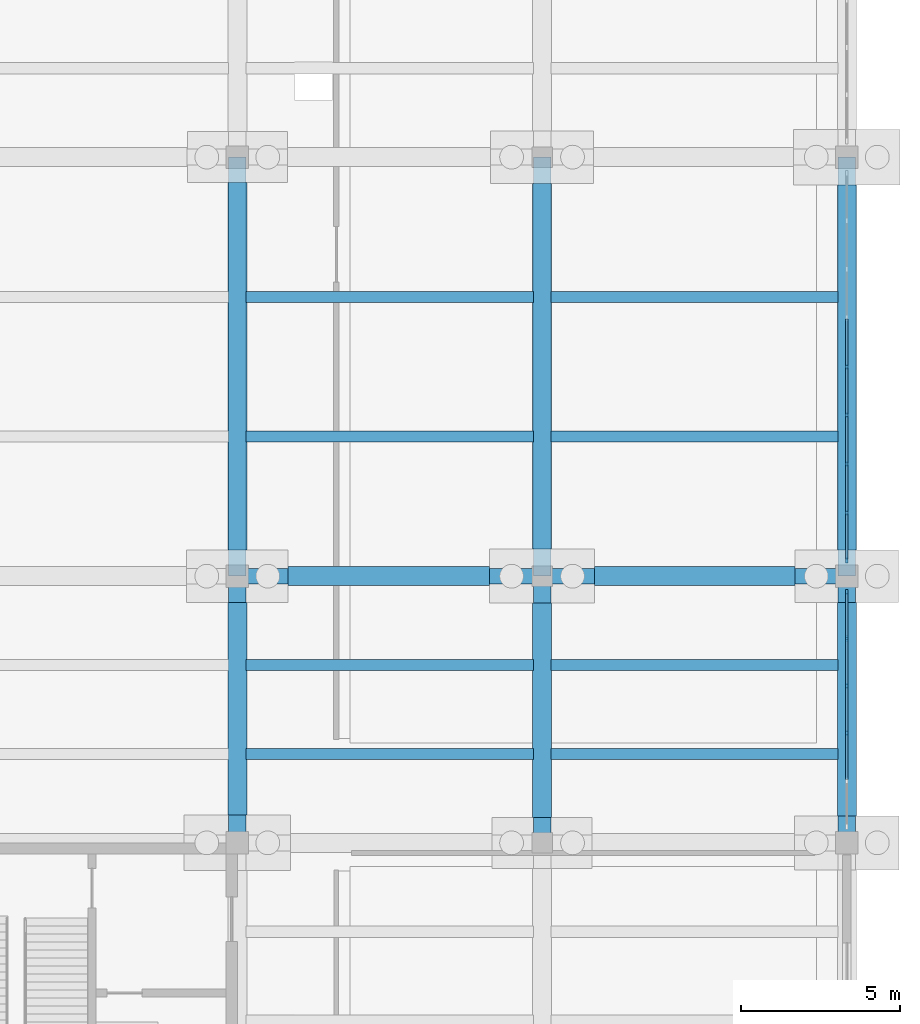
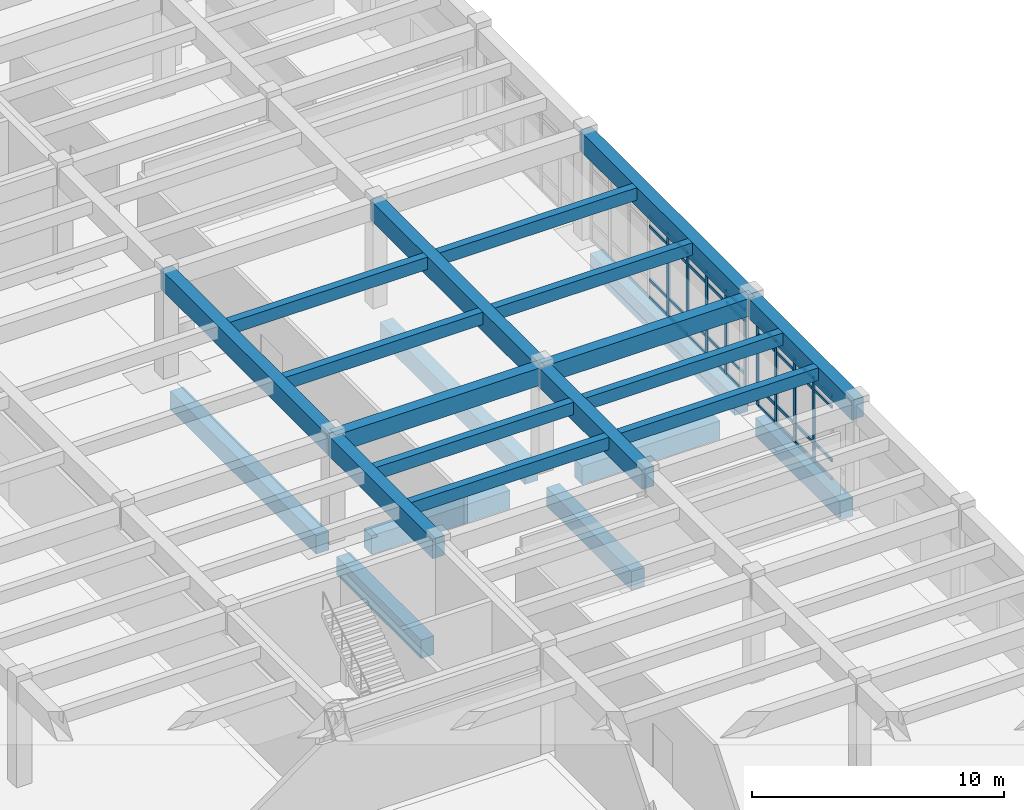
# One storey, part 47 of 102: 45 members, 24 beams, 2 elements without a shape of their own.
"""IFC4 building model written with IfcOpenShell, lengths in metres."""

import ifcopenshell
import ifcopenshell.guid

model = None  # the IFC model being written
_history = None  # IfcOwnerHistory: only IFC2X3 demands one
_inside = {}  # id of a spatial element -> (the spatial element, [elements in it])
_under = {}  # id of a project, library or spatial element -> (it, [spatial elements below it])
_declared = {}  # id of a project -> (the project, [libraries it declares])
_typed = {}  # id of a type object -> (the type object, [elements of that type])
_made_of = {}  # id of a material, layer set ... -> (it, [elements and type objects made of it])


def new_model(schema):
    """Start an empty IFC model of exactly this schema.

    Asked for "IFC4X3", IfcOpenShell would pick the latest addendum, in which some entities
    have other attributes; the version numbers below select the first issue.
    IFC2X3 requires an IfcOwnerHistory on every rooted entity: one is made here for all.
    """
    global model, _history
    if schema == "IFC4X3":
        model = ifcopenshell.file(schema_version=(4, 3, 0, 0))
    else:
        model = ifcopenshell.file(schema=schema)
    _inside.clear()
    _under.clear()
    _declared.clear()
    _typed.clear()
    _made_of.clear()
    _history = None
    if model.schema == "IFC2X3":
        org = make("IfcOrganization", Name="unknown")
        user = make(
            "IfcPersonAndOrganization",
            ThePerson=make("IfcPerson", FamilyName="unknown"),
            TheOrganization=org,
        )
        app = make(
            "IfcApplication",
            ApplicationDeveloper=org,
            Version="unknown",
            ApplicationFullName="unknown",
            ApplicationIdentifier="unknown",
        )
        _history = make(
            "IfcOwnerHistory",
            OwningUser=user,
            OwningApplication=app,
            ChangeAction="ADDED",
            CreationDate=0,
        )
    return model


def make(cls, **values):
    """One entity of the class cls with the attributes given. An attribute that is None is left unset."""
    return model.create_entity(
        cls, **{name: value for name, value in values.items() if value is not None}
    )


def rooted(cls, **values):
    """An entity with a GlobalId (a new one), such as an element, a storey or a relation."""
    return make(cls, GlobalId=ifcopenshell.guid.new(), OwnerHistory=_history, **values)


def si_unit(unit_type, name, prefix=None):
    """IfcSIUnit, for example si_unit("LENGTHUNIT", "METRE", prefix="MILLI")."""
    return make("IfcSIUnit", UnitType=unit_type, Prefix=prefix, Name=name)


def assignment(units):
    """IfcUnitAssignment: the units of a project."""
    return None if units is None else make("IfcUnitAssignment", Units=units)


def point(xyz):
    """IfcCartesianPoint."""
    return None if xyz is None else make("IfcCartesianPoint", Coordinates=xyz)


def direction(xyz):
    """IfcDirection."""
    return None if xyz is None else make("IfcDirection", DirectionRatios=xyz)


def frame(location, z_axis=None, x_axis=None):
    """IfcAxis2Placement3D, a coordinate frame: its origin and axes. An axis left out is left unset."""
    return make(
        "IfcAxis2Placement3D",
        Location=point(location),
        Axis=direction(z_axis),
        RefDirection=direction(x_axis),
    )


def frame_2d(location, x_axis=None):
    """IfcAxis2Placement2D, a coordinate frame in the plane: its origin and x axis."""
    return make(
        "IfcAxis2Placement2D", Location=point(location), RefDirection=direction(x_axis)
    )


def origin():
    """The frame at (0, 0, 0) with its axes left unset."""
    return frame((0.0, 0.0, 0.0))


def origin_2d():
    """The frame at (0, 0) in the plane with its x axis left unset."""
    return frame_2d((0.0, 0.0))


def place(relative_to, where):
    """IfcLocalPlacement: puts the frame where relative to a parent placement (None: the world)."""
    return make(
        "IfcLocalPlacement", PlacementRelTo=relative_to, RelativePlacement=where
    )


def context(
    kind, dimensions, precision=None, world=None, true_north=None, identifier=None
):
    """IfcGeometricRepresentationContext, for example the 3D "Model" context."""
    return make(
        "IfcGeometricRepresentationContext",
        ContextIdentifier=identifier,
        ContextType=kind,
        CoordinateSpaceDimension=dimensions,
        Precision=precision,
        WorldCoordinateSystem=world,
        TrueNorth=true_north,
    )


def subcontext(parent, identifier, kind, view, scale=None):
    """IfcGeometricRepresentationSubContext, for example "Body" below "Model"."""
    return make(
        "IfcGeometricRepresentationSubContext",
        ContextIdentifier=identifier,
        ContextType=kind,
        ParentContext=parent,
        TargetScale=scale,
        TargetView=view,
    )


def project(units=None, contexts=None):
    """IfcProject with its units and contexts."""
    return rooted(
        "IfcProject",
        Name="project",
        RepresentationContexts=contexts,
        UnitsInContext=assignment(units),
    )


def spatial(cls, under=None, at=None, **own):
    """A site, building, storey or space (cls), placed at a placement, below another one or the project."""
    s = rooted(cls, ObjectPlacement=at, **own)
    if under is not None:
        _under.setdefault(under.id(), (under, []))[1].append(s)
    return s


def profile(cls, at=None, kind="AREA", **sizes):
    """A parametric profile (cls). Its sizes go by their IFC names, for example OverallWidth=200.0."""
    return make(cls, ProfileType=kind, Position=at, **sizes)


def rectangle(**sizes):
    """IfcRectangleProfileDef."""
    return profile("IfcRectangleProfileDef", **sizes)


def extrude(swept, where, along, depth):
    """IfcExtrudedAreaSolid: the profile swept, set in the frame where, extruded along a direction by depth."""
    return make(
        "IfcExtrudedAreaSolid",
        SweptArea=swept,
        Position=where,
        ExtrudedDirection=direction(along),
        Depth=depth,
    )


def shape(context_of_items, identifier, shape_type, items):
    """IfcShapeRepresentation: the items that make up one representation, for example the "Body"."""
    return make(
        "IfcShapeRepresentation",
        ContextOfItems=context_of_items,
        RepresentationIdentifier=identifier,
        RepresentationType=shape_type,
        Items=items,
    )


def material(Name=None, Category=None):
    """IfcMaterial."""
    return make("IfcMaterial", Name=Name, Category=Category)


def layer(
    of_material, thickness, ventilated=None, Name=None, Category=None, Priority=None
):
    """IfcMaterialLayer: one layer of a wall or slab, of a material (None: an air gap)."""
    return make(
        "IfcMaterialLayer",
        Material=of_material,
        LayerThickness=thickness,
        IsVentilated=ventilated,
        Name=Name,
        Category=Category,
        Priority=Priority,
    )


def layer_set(layers, Name=None):
    """IfcMaterialLayerSet."""
    return make("IfcMaterialLayerSet", MaterialLayers=layers, LayerSetName=Name)


def material_profile(
    of_material, cross_section, Name=None, Category=None, Priority=None
):
    """IfcMaterialProfile: a cross section and its material."""
    return make(
        "IfcMaterialProfile",
        Name=Name,
        Material=of_material,
        Profile=cross_section,
        Priority=Priority,
        Category=Category,
    )


def profile_set(profiles, Name=None, composite=None):
    """IfcMaterialProfileSet."""
    return make(
        "IfcMaterialProfileSet",
        Name=Name,
        MaterialProfiles=profiles,
        CompositeProfile=composite,
    )


def made_of(thing, what):
    """Note that an element or type object is made of a material, layer set ...; save() writes the relation."""
    if what is not None:
        _made_of.setdefault(what.id(), (what, []))[1].append(thing)
    return thing


def type_object(cls, material=None, **own):
    """A type object (cls), such as IfcWallType, which elements share."""
    return made_of(rooted(cls, **own), material)


def element(
    cls,
    number,
    at=None,
    inside=None,
    cuts=None,
    type_object=None,
    material=None,
    context=None,
    identifier="Body",
    shape_type=None,
    held_by="IfcProductDefinitionShape",
    body=None,
    shapes=None,
    **own,
):
    """One element of the class cls, such as IfcWall. Its Tag is "e" and its number.

    at: its placement. inside: the storey or other place that contains it. cuts: it is an
    opening in that element (IfcRelVoidsElement). A single representation is given by context,
    identifier, shape_type and body (its items); several are given by shapes. held_by: the class
    of the entity that holds the representations. save() writes the other relations.
    """
    e = rooted(cls, Tag="e%d" % number, ObjectPlacement=at, **own)
    if body is not None:
        shapes = [shape(context, identifier, shape_type, body)]
    if shapes is not None:
        e.Representation = make(held_by, Representations=shapes)
    if inside is not None:
        _inside.setdefault(inside.id(), (inside, []))[1].append(e)
    if cuts is not None:
        rooted(
            "IfcRelVoidsElement", RelatingBuildingElement=cuts, RelatedOpeningElement=e
        )
    if type_object is not None:
        _typed.setdefault(type_object.id(), (type_object, []))[1].append(e)
    return made_of(e, material)


def aggregate(whole, parts):
    """IfcRelAggregates: a whole, such as a stair, and the parts it consists of."""
    return rooted("IfcRelAggregates", RelatingObject=whole, RelatedObjects=parts)


def save(model, path):
    """Write the relations noted so far, then the file.

    IfcRelAggregates (storeys below a building ...), IfcRelContainedInSpatialStructure (elements
    in a storey), IfcRelDefinesByType, IfcRelAssociatesMaterial and IfcRelDeclares: one each for
    every whole, place, type object, material and project.
    """
    for whole, parts in _under.values():
        aggregate(whole, parts)
    for where, things in _inside.values():
        rooted(
            "IfcRelContainedInSpatialStructure",
            RelatedElements=things,
            RelatingStructure=where,
        )
    for kind, things in _typed.values():
        rooted("IfcRelDefinesByType", RelatedObjects=things, RelatingType=kind)
    for what, things in _made_of.values():
        rooted("IfcRelAssociatesMaterial", RelatedObjects=things, RelatingMaterial=what)
    for by, libraries in _declared.values():
        rooted("IfcRelDeclares", RelatingContext=by, RelatedDefinitions=libraries)
    model.write(path)


model = new_model("IFC4")

# Units and contexts
model_context = context("Model", 3, precision=1e-05, world=origin(), true_north=direction((0.0, 1.0)))
body_context = subcontext(model_context, "Body", "Model", "MODEL_VIEW")
ifc_project = project(units=[si_unit("LENGTHUNIT", "METRE"), si_unit("AREAUNIT", "SQUARE_METRE"), si_unit("VOLUMEUNIT", "CUBIC_METRE"), si_unit("PLANEANGLEUNIT", "RADIAN"), si_unit("MASSUNIT", "GRAM", prefix="KILO")], contexts=[model_context])

# Site, building, storey
site_placement = place(None, origin())
site = spatial("IfcSite", under=ifc_project, at=site_placement, CompositionType="ELEMENT")
building_placement = place(site_placement, origin())
building = spatial("IfcBuilding", under=site, at=building_placement, Name="Kolvemor Railside Polytechnic", CompositionType="ELEMENT")
storey_placement = place(building_placement, origin())
storey = spatial("IfcBuildingStorey", under=building, at=storey_placement, Name="L00", CompositionType="ELEMENT", Elevation=0.0)

# Beams
ifc_material_1 = material(Name="Concrete C40/50", Category="concrete")
ifc_material_profile_1 = material_profile(ifc_material_1, rectangle(XDim=0.550048828125, YDim=0.949951171875, at=origin_2d()), Name="RC550x950")
ifc_profile_set_1 = profile_set([ifc_material_profile_1], Name="Concrete C40/50")
beam_type_1 = type_object("IfcBeamType", Name="BM-RC-GIRD", PredefinedType="BEAM", material=ifc_profile_set_1)
beam_1_placement = place(storey_placement, frame((163.199951171875, 30.0, 4.635009765625), z_axis=(0.0, 1.0, 0.0), x_axis=(-1.0, 0.0, 0.0)))
element("IfcBeam", 1, at=beam_1_placement, inside=storey, type_object=beam_type_1, Name="Primary Girder L01-GY 0399", PredefinedType="BEAM", context=body_context, shape_type="SweptSolid", body=[
    extrude(rectangle(XDim=0.550048828125, YDim=0.949951171875, at=origin_2d()), origin(), (0.0, 0.0, 1.0), 8.39990234375),
])
beam_2_placement = place(storey_placement, frame((163.199951171875, 38.39990234375, 4.635009765625), z_axis=(0.0, 1.0, 0.0), x_axis=(-1.0, 0.0, 0.0)))
element("IfcBeam", 2, at=beam_2_placement, inside=storey, type_object=beam_type_1, Name="Primary Girder L01-GY 0400", PredefinedType="BEAM", context=body_context, shape_type="SweptSolid", body=[
    extrude(rectangle(XDim=0.550048828125, YDim=0.949951171875, at=origin_2d()), origin(), (0.0, 0.0, 1.0), 13.2001953125),
])
beam_3_placement = place(storey_placement, frame((172.800048828125, 30.0, 4.635009765625), z_axis=(0.0, 1.0, 0.0), x_axis=(-1.0, 0.0, 0.0)))
element("IfcBeam", 3, at=beam_3_placement, inside=storey, type_object=beam_type_1, Name="Primary Girder L01-GY 0408", PredefinedType="BEAM", context=body_context, shape_type="SweptSolid", body=[
    extrude(rectangle(XDim=0.550048828125, YDim=0.949951171875, at=origin_2d()), origin(), (0.0, 0.0, 1.0), 8.39990234375),
])
beam_4_placement = place(storey_placement, frame((172.800048828125, 38.39990234375, 4.635009765625), z_axis=(0.0, 1.0, 0.0), x_axis=(-1.0, 0.0, 0.0)))
element("IfcBeam", 4, at=beam_4_placement, inside=storey, type_object=beam_type_1, Name="Primary Girder L01-GY 0409", PredefinedType="BEAM", context=body_context, shape_type="SweptSolid", body=[
    extrude(rectangle(XDim=0.550048828125, YDim=0.949951171875, at=origin_2d()), origin(), (0.0, 0.0, 1.0), 13.2001953125),
])
beam_5_placement = place(storey_placement, frame((182.39990234375, 30.0, 4.635009765625), z_axis=(0.0, 1.0, 0.0), x_axis=(-1.0, 0.0, 0.0)))
element("IfcBeam", 5, at=beam_5_placement, inside=storey, type_object=beam_type_1, Name="Primary Girder L01-GY 0417", PredefinedType="BEAM", context=body_context, shape_type="SweptSolid", body=[
    extrude(rectangle(XDim=0.550048828125, YDim=0.949951171875, at=origin_2d()), origin(), (0.0, 0.0, 1.0), 8.39990234375),
])
beam_6_placement = place(storey_placement, frame((182.39990234375, 38.39990234375, 4.635009765625), z_axis=(0.0, 1.0, 0.0), x_axis=(-1.0, 0.0, 0.0)))
element("IfcBeam", 6, at=beam_6_placement, inside=storey, type_object=beam_type_1, Name="Primary Girder L01-GY 0418", PredefinedType="BEAM", context=body_context, shape_type="SweptSolid", body=[
    extrude(rectangle(XDim=0.550048828125, YDim=0.949951171875, at=origin_2d()), origin(), (0.0, 0.0, 1.0), 13.2001953125),
])
ifc_material_2 = material(Name="Concrete C40/50", Category="concrete")
ifc_material_profile_2 = material_profile(ifc_material_2, rectangle(XDim=0.5, YDim=0.85009765625, at=origin_2d()), Name="RC500x850")
ifc_profile_set_2 = profile_set([ifc_material_profile_2], Name="Concrete C40/50")
beam_type_2 = type_object("IfcBeamType", Name="BM-RC-GIRD3", PredefinedType="BEAM", material=ifc_profile_set_2)
beam_7_placement = place(storey_placement, frame((163.199951171875, 38.39990234375, 4.68505859375), z_axis=(1.0, 0.0, 0.0), x_axis=(0.0, 1.0, 0.0)))
element("IfcBeam", 7, at=beam_7_placement, inside=storey, type_object=beam_type_2, Name="Primary Girder L01-GX 0356", PredefinedType="BEAM", context=body_context, shape_type="SweptSolid", body=[
    extrude(rectangle(XDim=0.5, YDim=0.85009765625, at=origin_2d()), origin(), (0.0, 0.0, 1.0), 9.60009765625),
])
beam_8_placement = place(storey_placement, frame((172.800048828125, 38.39990234375, 4.68505859375), z_axis=(1.0, 0.0, 0.0), x_axis=(0.0, 1.0, 0.0)))
element("IfcBeam", 8, at=beam_8_placement, inside=storey, type_object=beam_type_2, Name="Primary Girder L01-GX 0357", PredefinedType="BEAM", context=body_context, shape_type="SweptSolid", body=[
    extrude(rectangle(XDim=0.5, YDim=0.85009765625, at=origin_2d()), origin(), (0.0, 0.0, 1.0), 9.599853515625),
])
ifc_material_3 = material(Name="Concrete C40/50", Category="concrete")
ifc_material_profile_3 = material_profile(ifc_material_3, rectangle(XDim=0.35009765625, YDim=0.60009765625, at=origin_2d()), Name="RC350x600")
ifc_profile_set_3 = profile_set([ifc_material_profile_3], Name="Concrete C40/50")
beam_type_3 = type_object("IfcBeamType", Name="BM-RC-SEC3", PredefinedType="JOIST", material=ifc_profile_set_3)
for number, where, z_axis, x_axis, name in (
    (9, (163.47509765625, 32.800048828125, 4.81005859375), (1.0, 0.0, 0.0), (0.0, 1.0, 0.0), "Floor Joist L01-J0461"),
    (10, (163.47509765625, 35.60009765625, 4.81005859375), (1.0, 0.0, 0.0), (0.0, 1.0, 0.0), "Floor Joist L01-J0462"),
    (11, (163.47509765625, 42.800048828125, 4.81005859375), (1.0, 0.0, 0.0), (0.0, 1.0, 0.0), "Floor Joist L01-J0463"),
    (12, (163.47509765625, 47.199951171875, 4.81005859375), (1.0, 0.0, 0.0), (0.0, 1.0, 0.0), "Floor Joist L01-J0464"),
):
    element("IfcBeam", number, at=place(storey_placement, frame(where, z_axis=z_axis, x_axis=x_axis)), inside=storey, type_object=beam_type_3, Name=name, PredefinedType="JOIST", context=body_context, shape_type="SweptSolid", body=[
        extrude(rectangle(XDim=0.35009765625, YDim=0.60009765625, at=origin_2d()), origin(), (0.0, 0.0, 1.0), 9.0498046875),
    ])
for number, where, z_axis, x_axis, name in (
    (13, (173.074951171875, 32.800048828125, 4.81005859375), (1.0, 0.0, 0.0), (0.0, 1.0, 0.0), "Floor Joist L01-J0479"),
    (14, (173.074951171875, 35.60009765625, 4.81005859375), (1.0, 0.0, 0.0), (0.0, 1.0, 0.0), "Floor Joist L01-J0480"),
    (15, (173.074951171875, 42.800048828125, 4.81005859375), (1.0, 0.0, 0.0), (0.0, 1.0, 0.0), "Floor Joist L01-J0481"),
    (16, (173.074951171875, 47.199951171875, 4.81005859375), (1.0, 0.0, 0.0), (0.0, 1.0, 0.0), "Floor Joist L01-J0482"),
):
    element("IfcBeam", number, at=place(storey_placement, frame(where, z_axis=z_axis, x_axis=x_axis)), inside=storey, type_object=beam_type_3, Name=name, PredefinedType="JOIST", context=body_context, shape_type="SweptSolid", body=[
        extrude(rectangle(XDim=0.35009765625, YDim=0.60009765625, at=origin_2d()), origin(), (0.0, 0.0, 1.0), 9.050048828125),
    ])
ifc_material_4 = material(Name="Concrete C40/50", Category="concrete")
ifc_material_profile_4 = material_profile(ifc_material_4, rectangle(XDim=0.60009765625, YDim=0.89990234375, at=origin_2d()), Name="RC600x900")
ifc_profile_set_4 = profile_set([ifc_material_profile_4], Name="Concrete C40/50")
beam_type_4 = type_object("IfcBeamType", Name="BM-RC-TIE", PredefinedType="BEAM", material=ifc_profile_set_4)
beam_9_placement = place(storey_placement, frame((164.802001953125, 38.39990234375, -0.75), z_axis=(1.0, 0.0, 0.0), x_axis=(0.0, 1.0, 0.0)))
element("IfcBeam", 17, at=beam_9_placement, inside=storey, type_object=beam_type_4, Name="Ground Tie Beam GTB-X126", PredefinedType="BEAM", context=body_context, shape_type="SweptSolid", body=[
    extrude(rectangle(XDim=0.60009765625, YDim=0.89990234375, at=origin_2d()), origin(), (0.0, 0.0, 1.0), 6.345947265625),
])
beam_10_placement = place(storey_placement, frame((174.451904296875, 38.39990234375, -0.75), z_axis=(1.0, 0.0, 0.0), x_axis=(0.0, 1.0, 0.0)))
element("IfcBeam", 18, at=beam_10_placement, inside=storey, type_object=beam_type_4, Name="Ground Tie Beam GTB-X127", PredefinedType="BEAM", context=body_context, shape_type="SweptSolid", body=[
    extrude(rectangle(XDim=0.60009765625, YDim=0.89990234375, at=origin_2d()), origin(), (0.0, 0.0, 1.0), 6.321044921875),
])
beam_11_placement = place(storey_placement, frame((163.199951171875, 30.876953125, -0.75), z_axis=(0.0, 1.0, 0.0), x_axis=(-1.0, 0.0, 0.0)))
element("IfcBeam", 19, at=beam_11_placement, inside=storey, type_object=beam_type_4, Name="Ground Tie Beam GTB-Y421", PredefinedType="BEAM", context=body_context, shape_type="SweptSolid", body=[
    extrude(rectangle(XDim=0.60009765625, YDim=0.89990234375, at=origin_2d()), origin(), (0.0, 0.0, 1.0), 6.696044921875),
])
beam_12_placement = place(storey_placement, frame((163.199951171875, 39.22705078125, -0.75), z_axis=(0.0, 1.0, 0.0), x_axis=(-1.0, 0.0, 0.0)))
element("IfcBeam", 20, at=beam_12_placement, inside=storey, type_object=beam_type_4, Name="Ground Tie Beam GTB-Y422", PredefinedType="BEAM", context=body_context, shape_type="SweptSolid", body=[
    extrude(rectangle(XDim=0.60009765625, YDim=0.89990234375, at=origin_2d()), origin(), (0.0, 0.0, 1.0), 11.571044921875),
])
beam_13_placement = place(storey_placement, frame((172.800048828125, 30.802001953125, -0.75), z_axis=(0.0, 1.0, 0.0), x_axis=(-1.0, 0.0, 0.0)))
element("IfcBeam", 21, at=beam_13_placement, inside=storey, type_object=beam_type_4, Name="Ground Tie Beam GTB-Y432", PredefinedType="BEAM", context=body_context, shape_type="SweptSolid", body=[
    extrude(rectangle(XDim=0.60009765625, YDim=0.89990234375, at=origin_2d()), origin(), (0.0, 0.0, 1.0), 6.74609375),
])
beam_14_placement = place(storey_placement, frame((172.800048828125, 39.251953125, -0.75), z_axis=(0.0, 1.0, 0.0), x_axis=(-1.0, 0.0, 0.0)))
element("IfcBeam", 22, at=beam_14_placement, inside=storey, type_object=beam_type_4, Name="Ground Tie Beam GTB-Y433", PredefinedType="BEAM", context=body_context, shape_type="SweptSolid", body=[
    extrude(rectangle(XDim=0.60009765625, YDim=0.89990234375, at=origin_2d()), origin(), (0.0, 0.0, 1.0), 11.52099609375),
])
beam_15_placement = place(storey_placement, frame((182.39990234375, 30.85205078125, -0.75), z_axis=(0.0, 1.0, 0.0), x_axis=(-1.0, 0.0, 0.0)))
element("IfcBeam", 23, at=beam_15_placement, inside=storey, type_object=beam_type_4, Name="Ground Tie Beam GTB-Y442", PredefinedType="BEAM", context=body_context, shape_type="SweptSolid", body=[
    extrude(rectangle(XDim=0.60009765625, YDim=0.89990234375, at=origin_2d()), origin(), (0.0, 0.0, 1.0), 6.720947265625),
])
beam_16_placement = place(storey_placement, frame((182.39990234375, 39.22705078125, -0.75), z_axis=(0.0, 1.0, 0.0), x_axis=(-1.0, 0.0, 0.0)))
element("IfcBeam", 24, at=beam_16_placement, inside=storey, type_object=beam_type_4, Name="Ground Tie Beam GTB-Y443", PredefinedType="BEAM", context=body_context, shape_type="SweptSolid", body=[
    extrude(rectangle(XDim=0.60009765625, YDim=0.89990234375, at=origin_2d()), origin(), (0.0, 0.0, 1.0), 11.495849609375),
])

# Curtain wall, members
ifc_material_5 = material(Name="Anodised marine aluminium and laminated low-E glass", Category="aluminium")
ifc_layer = layer(ifc_material_5, 0.179931640625, Name="CW-UNIT-STD")
ifc_layer_set = layer_set([ifc_layer], Name="Anodised marine aluminium and laminated low-E glass")
curtain_wall_type = type_object("IfcCurtainWallType", Name="CW-UNIT-STD", PredefinedType="USERDEFINED", material=ifc_layer_set)
curtain_wall_1_placement = place(storey_placement, origin())
curtain_wall_1 = element("IfcCurtainWall", 25, at=curtain_wall_1_placement, inside=storey, type_object=curtain_wall_type, Name="Curtain Wall L00-049", ObjectType="UNITISED CURTAIN WALL", PredefinedType="USERDEFINED")
ifc_material_6 = material(Name="Anodised marine aluminium 6063-T6", Category="aluminium")
ifc_material_profile_5 = material_profile(ifc_material_6, rectangle(XDim=0.074951171875, YDim=0.179931640625, at=origin_2d()), Name="CW-MUL-75x180")
ifc_profile_set_5 = profile_set([ifc_material_profile_5], Name="Anodised marine aluminium 6063-T6")
member_type_1 = type_object("IfcMemberType", Name="CWM-75x180", PredefinedType="MULLION", material=ifc_profile_set_5)
member_1_placement = place(storey_placement, frame((182.39990234375, 33.4541015625, 0.0), z_axis=(0.0, 0.0, 1.0), x_axis=(-1.0, 0.0, 0.0)))
member_1 = element("IfcMember", 26, at=member_1_placement, type_object=member_type_1, Name="CW-STD mullion 3", PredefinedType="MULLION", context=body_context, shape_type="SweptSolid", body=[
    extrude(rectangle(XDim=0.074951171875, YDim=0.179931640625, at=origin_2d()), origin(), (0.0, 0.0, 1.0), 4.0400390625),
])
member_2_placement = place(storey_placement, frame((182.39990234375, 34.946044921875, 0.0), z_axis=(0.0, 0.0, 1.0), x_axis=(-1.0, 0.0, 0.0)))
member_2 = element("IfcMember", 27, at=member_2_placement, type_object=member_type_1, Name="CW-STD mullion 4", PredefinedType="MULLION", context=body_context, shape_type="SweptSolid", body=[
    extrude(rectangle(XDim=0.074951171875, YDim=0.179931640625, at=origin_2d()), origin(), (0.0, 0.0, 1.0), 4.0400390625),
])
member_3_placement = place(storey_placement, frame((182.39990234375, 36.43798828125, 0.0), z_axis=(0.0, 0.0, 1.0), x_axis=(-1.0, 0.0, 0.0)))
member_3 = element("IfcMember", 28, at=member_3_placement, type_object=member_type_1, Name="CW-STD mullion 5", PredefinedType="MULLION", context=body_context, shape_type="SweptSolid", body=[
    extrude(rectangle(XDim=0.074951171875, YDim=0.179931640625, at=origin_2d()), origin(), (0.0, 0.0, 1.0), 4.0400390625),
])
member_4_placement = place(storey_placement, frame((182.39990234375, 37.892578125, 0.0), z_axis=(0.0, 0.0, 1.0), x_axis=(-1.0, 0.0, 0.0)))
member_4 = element("IfcMember", 29, at=member_4_placement, type_object=member_type_1, Name="CW-STD mullion 6", PredefinedType="MULLION", context=body_context, shape_type="SweptSolid", body=[
    extrude(rectangle(XDim=0.074951171875, YDim=0.179931640625, at=origin_2d()), origin(), (0.0, 0.0, 1.0), 4.0400390625),
])

curtain_wall_2_placement = place(storey_placement, origin())
curtain_wall_2 = element("IfcCurtainWall", 30, at=curtain_wall_2_placement, inside=storey, type_object=curtain_wall_type, Name="Curtain Wall L00-059", ObjectType="UNITISED CURTAIN WALL", PredefinedType="USERDEFINED")
member_5_placement = place(storey_placement, frame((182.39990234375, 38.907470703125, 0.0), z_axis=(0.0, 0.0, 1.0), x_axis=(-1.0, 0.0, 0.0)))
member_5 = element("IfcMember", 31, at=member_5_placement, type_object=member_type_1, Name="CW-STD mullion 1", PredefinedType="MULLION", context=body_context, shape_type="SweptSolid", body=[
    extrude(rectangle(XDim=0.074951171875, YDim=0.179931640625, at=origin_2d()), origin(), (0.0, 0.0, 1.0), 4.0400390625),
])
member_6_placement = place(storey_placement, frame((182.39990234375, 40.402587890625, 0.0), z_axis=(0.0, 0.0, 1.0), x_axis=(-1.0, 0.0, 0.0)))
member_6 = element("IfcMember", 32, at=member_6_placement, type_object=member_type_1, Name="CW-STD mullion 2", PredefinedType="MULLION", context=body_context, shape_type="SweptSolid", body=[
    extrude(rectangle(XDim=0.074951171875, YDim=0.179931640625, at=origin_2d()), origin(), (0.0, 0.0, 1.0), 4.0400390625),
])
member_7_placement = place(storey_placement, frame((182.39990234375, 41.93505859375, 0.0), z_axis=(0.0, 0.0, 1.0), x_axis=(-1.0, 0.0, 0.0)))
member_7 = element("IfcMember", 33, at=member_7_placement, type_object=member_type_1, Name="CW-STD mullion 3", PredefinedType="MULLION", context=body_context, shape_type="SweptSolid", body=[
    extrude(rectangle(XDim=0.074951171875, YDim=0.179931640625, at=origin_2d()), origin(), (0.0, 0.0, 1.0), 4.0400390625),
])
member_8_placement = place(storey_placement, frame((182.39990234375, 43.467529296875, 0.0), z_axis=(0.0, 0.0, 1.0), x_axis=(-1.0, 0.0, 0.0)))
member_8 = element("IfcMember", 34, at=member_8_placement, type_object=member_type_1, Name="CW-STD mullion 4", PredefinedType="MULLION", context=body_context, shape_type="SweptSolid", body=[
    extrude(rectangle(XDim=0.074951171875, YDim=0.179931640625, at=origin_2d()), origin(), (0.0, 0.0, 1.0), 4.0400390625),
])
member_9_placement = place(storey_placement, frame((182.39990234375, 45.0, 0.0), z_axis=(0.0, 0.0, 1.0), x_axis=(-1.0, 0.0, 0.0)))
member_9 = element("IfcMember", 35, at=member_9_placement, type_object=member_type_1, Name="CW-STD mullion 5", PredefinedType="MULLION", context=body_context, shape_type="SweptSolid", body=[
    extrude(rectangle(XDim=0.074951171875, YDim=0.179931640625, at=origin_2d()), origin(), (0.0, 0.0, 1.0), 4.0400390625),
])

# Member
ifc_material_7 = material(Name="Anodised marine aluminium 6063-T6", Category="aluminium")
ifc_material_profile_6 = material_profile(ifc_material_7, rectangle(XDim=0.074951171875, YDim=0.139892578125, at=origin_2d()), Name="CW-TRN-75x140")
ifc_profile_set_6 = profile_set([ifc_material_profile_6], Name="Anodised marine aluminium 6063-T6")
member_type_2 = type_object("IfcMemberType", Name="CWT-75x140", PredefinedType="USERDEFINED", material=ifc_profile_set_6)
member_10_placement = place(storey_placement, frame((182.39990234375, 31.99951171875, 0.03759765625), z_axis=(0.0, 1.0, 0.0), x_axis=(-1.0, 0.0, 0.0)))
member_10 = element("IfcMember", 36, at=member_10_placement, type_object=member_type_2, Name="CW-STD transom 2.1", ObjectType="TRANSOM", PredefinedType="USERDEFINED", context=body_context, shape_type="SweptSolid", body=[
    extrude(rectangle(XDim=0.074951171875, YDim=0.139892578125, at=origin_2d()), origin(), (0.0, 0.0, 1.0), 1.4169921875),
])

member_11_placement = place(storey_placement, frame((182.39990234375, 31.99951171875, 0.89990234375), z_axis=(0.0, 1.0, 0.0), x_axis=(-1.0, 0.0, 0.0)))
member_11 = element("IfcMember", 37, at=member_11_placement, type_object=member_type_2, Name="CW-STD transom 2.2", ObjectType="TRANSOM", PredefinedType="USERDEFINED", context=body_context, shape_type="SweptSolid", body=[
    extrude(rectangle(XDim=0.074951171875, YDim=0.139892578125, at=origin_2d()), origin(), (0.0, 0.0, 1.0), 1.4169921875),
])

member_12_placement = place(storey_placement, frame((182.39990234375, 31.99951171875, 3.489990234375), z_axis=(0.0, 1.0, 0.0), x_axis=(-1.0, 0.0, 0.0)))
member_12 = element("IfcMember", 38, at=member_12_placement, type_object=member_type_2, Name="CW-STD transom 2.3", ObjectType="TRANSOM", PredefinedType="USERDEFINED", context=body_context, shape_type="SweptSolid", body=[
    extrude(rectangle(XDim=0.074951171875, YDim=0.139892578125, at=origin_2d()), origin(), (0.0, 0.0, 1.0), 1.4169921875),
])

member_13_placement = place(storey_placement, frame((182.39990234375, 31.99951171875, 4.00244140625), z_axis=(0.0, 1.0, 0.0), x_axis=(-1.0, 0.0, 0.0)))
member_13 = element("IfcMember", 39, at=member_13_placement, type_object=member_type_2, Name="CW-STD transom 2.4", ObjectType="TRANSOM", PredefinedType="USERDEFINED", context=body_context, shape_type="SweptSolid", body=[
    extrude(rectangle(XDim=0.074951171875, YDim=0.139892578125, at=origin_2d()), origin(), (0.0, 0.0, 1.0), 1.4169921875),
])

member_14_placement = place(storey_placement, frame((182.39990234375, 33.491455078125, 0.03759765625), z_axis=(0.0, 1.0, 0.0), x_axis=(-1.0, 0.0, 0.0)))
member_14 = element("IfcMember", 40, at=member_14_placement, type_object=member_type_2, Name="CW-STD transom 3.1", ObjectType="TRANSOM", PredefinedType="USERDEFINED", context=body_context, shape_type="SweptSolid", body=[
    extrude(rectangle(XDim=0.074951171875, YDim=0.139892578125, at=origin_2d()), origin(), (0.0, 0.0, 1.0), 1.4169921875),
])

member_15_placement = place(storey_placement, frame((182.39990234375, 33.491455078125, 0.89990234375), z_axis=(0.0, 1.0, 0.0), x_axis=(-1.0, 0.0, 0.0)))
member_15 = element("IfcMember", 41, at=member_15_placement, type_object=member_type_2, Name="CW-STD transom 3.2", ObjectType="TRANSOM", PredefinedType="USERDEFINED", context=body_context, shape_type="SweptSolid", body=[
    extrude(rectangle(XDim=0.074951171875, YDim=0.139892578125, at=origin_2d()), origin(), (0.0, 0.0, 1.0), 1.4169921875),
])

member_16_placement = place(storey_placement, frame((182.39990234375, 33.491455078125, 3.489990234375), z_axis=(0.0, 1.0, 0.0), x_axis=(-1.0, 0.0, 0.0)))
member_16 = element("IfcMember", 42, at=member_16_placement, type_object=member_type_2, Name="CW-STD transom 3.3", ObjectType="TRANSOM", PredefinedType="USERDEFINED", context=body_context, shape_type="SweptSolid", body=[
    extrude(rectangle(XDim=0.074951171875, YDim=0.139892578125, at=origin_2d()), origin(), (0.0, 0.0, 1.0), 1.4169921875),
])

member_17_placement = place(storey_placement, frame((182.39990234375, 33.491455078125, 4.00244140625), z_axis=(0.0, 1.0, 0.0), x_axis=(-1.0, 0.0, 0.0)))
member_17 = element("IfcMember", 43, at=member_17_placement, type_object=member_type_2, Name="CW-STD transom 3.4", ObjectType="TRANSOM", PredefinedType="USERDEFINED", context=body_context, shape_type="SweptSolid", body=[
    extrude(rectangle(XDim=0.074951171875, YDim=0.139892578125, at=origin_2d()), origin(), (0.0, 0.0, 1.0), 1.4169921875),
])

member_18_placement = place(storey_placement, frame((182.39990234375, 34.9833984375, 0.03759765625), z_axis=(0.0, 1.0, 0.0), x_axis=(-1.0, 0.0, 0.0)))
member_18 = element("IfcMember", 44, at=member_18_placement, type_object=member_type_2, Name="CW-STD transom 4.1", ObjectType="TRANSOM", PredefinedType="USERDEFINED", context=body_context, shape_type="SweptSolid", body=[
    extrude(rectangle(XDim=0.074951171875, YDim=0.139892578125, at=origin_2d()), origin(), (0.0, 0.0, 1.0), 1.4169921875),
])

member_19_placement = place(storey_placement, frame((182.39990234375, 34.9833984375, 0.89990234375), z_axis=(0.0, 1.0, 0.0), x_axis=(-1.0, 0.0, 0.0)))
member_19 = element("IfcMember", 45, at=member_19_placement, type_object=member_type_2, Name="CW-STD transom 4.2", ObjectType="TRANSOM", PredefinedType="USERDEFINED", context=body_context, shape_type="SweptSolid", body=[
    extrude(rectangle(XDim=0.074951171875, YDim=0.139892578125, at=origin_2d()), origin(), (0.0, 0.0, 1.0), 1.4169921875),
])

member_20_placement = place(storey_placement, frame((182.39990234375, 34.9833984375, 3.489990234375), z_axis=(0.0, 1.0, 0.0), x_axis=(-1.0, 0.0, 0.0)))
member_20 = element("IfcMember", 46, at=member_20_placement, type_object=member_type_2, Name="CW-STD transom 4.3", ObjectType="TRANSOM", PredefinedType="USERDEFINED", context=body_context, shape_type="SweptSolid", body=[
    extrude(rectangle(XDim=0.074951171875, YDim=0.139892578125, at=origin_2d()), origin(), (0.0, 0.0, 1.0), 1.4169921875),
])

member_21_placement = place(storey_placement, frame((182.39990234375, 34.9833984375, 4.00244140625), z_axis=(0.0, 1.0, 0.0), x_axis=(-1.0, 0.0, 0.0)))
member_21 = element("IfcMember", 47, at=member_21_placement, type_object=member_type_2, Name="CW-STD transom 4.4", ObjectType="TRANSOM", PredefinedType="USERDEFINED", context=body_context, shape_type="SweptSolid", body=[
    extrude(rectangle(XDim=0.074951171875, YDim=0.139892578125, at=origin_2d()), origin(), (0.0, 0.0, 1.0), 1.4169921875),
])

member_22_placement = place(storey_placement, frame((182.39990234375, 36.4755859375, 0.03759765625), z_axis=(0.0, 1.0, 0.0), x_axis=(-1.0, 0.0, 0.0)))
member_22 = element("IfcMember", 48, at=member_22_placement, type_object=member_type_2, Name="CW-STD transom 5.1", ObjectType="TRANSOM", PredefinedType="USERDEFINED", context=body_context, shape_type="SweptSolid", body=[
    extrude(rectangle(XDim=0.074951171875, YDim=0.139892578125, at=origin_2d()), origin(), (0.0, 0.0, 1.0), 1.37939453125),
])

member_23_placement = place(storey_placement, frame((182.39990234375, 36.4755859375, 0.89990234375), z_axis=(0.0, 1.0, 0.0), x_axis=(-1.0, 0.0, 0.0)))
member_23 = element("IfcMember", 49, at=member_23_placement, type_object=member_type_2, Name="CW-STD transom 5.2", ObjectType="TRANSOM", PredefinedType="USERDEFINED", context=body_context, shape_type="SweptSolid", body=[
    extrude(rectangle(XDim=0.074951171875, YDim=0.139892578125, at=origin_2d()), origin(), (0.0, 0.0, 1.0), 1.37939453125),
])

member_24_placement = place(storey_placement, frame((182.39990234375, 36.4755859375, 3.489990234375), z_axis=(0.0, 1.0, 0.0), x_axis=(-1.0, 0.0, 0.0)))
member_24 = element("IfcMember", 50, at=member_24_placement, type_object=member_type_2, Name="CW-STD transom 5.3", ObjectType="TRANSOM", PredefinedType="USERDEFINED", context=body_context, shape_type="SweptSolid", body=[
    extrude(rectangle(XDim=0.074951171875, YDim=0.139892578125, at=origin_2d()), origin(), (0.0, 0.0, 1.0), 1.37939453125),
])

member_25_placement = place(storey_placement, frame((182.39990234375, 36.4755859375, 4.00244140625), z_axis=(0.0, 1.0, 0.0), x_axis=(-1.0, 0.0, 0.0)))
member_25 = element("IfcMember", 51, at=member_25_placement, type_object=member_type_2, Name="CW-STD transom 5.4", ObjectType="TRANSOM", PredefinedType="USERDEFINED", context=body_context, shape_type="SweptSolid", body=[
    extrude(rectangle(XDim=0.074951171875, YDim=0.139892578125, at=origin_2d()), origin(), (0.0, 0.0, 1.0), 1.37939453125),
])

aggregate(curtain_wall_1, [member_1, member_2, member_3, member_4, member_10, member_11, member_12, member_13, member_14, member_15, member_16, member_17, member_18, member_19, member_20, member_21, member_22, member_23, member_24, member_25])

member_26_placement = place(storey_placement, frame((182.39990234375, 38.945068359375, 0.03759765625), z_axis=(0.0, 1.0, 0.0), x_axis=(-1.0, 0.0, 0.0)))
member_26 = element("IfcMember", 52, at=member_26_placement, type_object=member_type_2, Name="CW-STD transom 1.1", ObjectType="TRANSOM", PredefinedType="USERDEFINED", context=body_context, shape_type="SweptSolid", body=[
    extrude(rectangle(XDim=0.074951171875, YDim=0.139892578125, at=origin_2d()), origin(), (0.0, 0.0, 1.0), 1.419921875),
])

member_27_placement = place(storey_placement, frame((182.39990234375, 38.945068359375, 0.89990234375), z_axis=(0.0, 1.0, 0.0), x_axis=(-1.0, 0.0, 0.0)))
member_27 = element("IfcMember", 53, at=member_27_placement, type_object=member_type_2, Name="CW-STD transom 1.2", ObjectType="TRANSOM", PredefinedType="USERDEFINED", context=body_context, shape_type="SweptSolid", body=[
    extrude(rectangle(XDim=0.074951171875, YDim=0.139892578125, at=origin_2d()), origin(), (0.0, 0.0, 1.0), 1.419921875),
])

member_28_placement = place(storey_placement, frame((182.39990234375, 38.945068359375, 3.489990234375), z_axis=(0.0, 1.0, 0.0), x_axis=(-1.0, 0.0, 0.0)))
member_28 = element("IfcMember", 54, at=member_28_placement, type_object=member_type_2, Name="CW-STD transom 1.3", ObjectType="TRANSOM", PredefinedType="USERDEFINED", context=body_context, shape_type="SweptSolid", body=[
    extrude(rectangle(XDim=0.074951171875, YDim=0.139892578125, at=origin_2d()), origin(), (0.0, 0.0, 1.0), 1.419921875),
])

member_29_placement = place(storey_placement, frame((182.39990234375, 38.945068359375, 4.00244140625), z_axis=(0.0, 1.0, 0.0), x_axis=(-1.0, 0.0, 0.0)))
member_29 = element("IfcMember", 55, at=member_29_placement, type_object=member_type_2, Name="CW-STD transom 1.4", ObjectType="TRANSOM", PredefinedType="USERDEFINED", context=body_context, shape_type="SweptSolid", body=[
    extrude(rectangle(XDim=0.074951171875, YDim=0.139892578125, at=origin_2d()), origin(), (0.0, 0.0, 1.0), 1.419921875),
])

member_30_placement = place(storey_placement, frame((182.39990234375, 40.43994140625, 0.03759765625), z_axis=(0.0, 1.0, 0.0), x_axis=(-1.0, 0.0, 0.0)))
member_30 = element("IfcMember", 56, at=member_30_placement, type_object=member_type_2, Name="CW-STD transom 2.1", ObjectType="TRANSOM", PredefinedType="USERDEFINED", context=body_context, shape_type="SweptSolid", body=[
    extrude(rectangle(XDim=0.074951171875, YDim=0.139892578125, at=origin_2d()), origin(), (0.0, 0.0, 1.0), 1.45751953125),
])

member_31_placement = place(storey_placement, frame((182.39990234375, 40.43994140625, 0.89990234375), z_axis=(0.0, 1.0, 0.0), x_axis=(-1.0, 0.0, 0.0)))
member_31 = element("IfcMember", 57, at=member_31_placement, type_object=member_type_2, Name="CW-STD transom 2.2", ObjectType="TRANSOM", PredefinedType="USERDEFINED", context=body_context, shape_type="SweptSolid", body=[
    extrude(rectangle(XDim=0.074951171875, YDim=0.139892578125, at=origin_2d()), origin(), (0.0, 0.0, 1.0), 1.45751953125),
])

member_32_placement = place(storey_placement, frame((182.39990234375, 40.43994140625, 3.489990234375), z_axis=(0.0, 1.0, 0.0), x_axis=(-1.0, 0.0, 0.0)))
member_32 = element("IfcMember", 58, at=member_32_placement, type_object=member_type_2, Name="CW-STD transom 2.3", ObjectType="TRANSOM", PredefinedType="USERDEFINED", context=body_context, shape_type="SweptSolid", body=[
    extrude(rectangle(XDim=0.074951171875, YDim=0.139892578125, at=origin_2d()), origin(), (0.0, 0.0, 1.0), 1.45751953125),
])

member_33_placement = place(storey_placement, frame((182.39990234375, 40.43994140625, 4.00244140625), z_axis=(0.0, 1.0, 0.0), x_axis=(-1.0, 0.0, 0.0)))
member_33 = element("IfcMember", 59, at=member_33_placement, type_object=member_type_2, Name="CW-STD transom 2.4", ObjectType="TRANSOM", PredefinedType="USERDEFINED", context=body_context, shape_type="SweptSolid", body=[
    extrude(rectangle(XDim=0.074951171875, YDim=0.139892578125, at=origin_2d()), origin(), (0.0, 0.0, 1.0), 1.45751953125),
])

member_34_placement = place(storey_placement, frame((182.39990234375, 41.972412109375, 0.03759765625), z_axis=(0.0, 1.0, 0.0), x_axis=(-1.0, 0.0, 0.0)))
member_34 = element("IfcMember", 60, at=member_34_placement, type_object=member_type_2, Name="CW-STD transom 3.1", ObjectType="TRANSOM", PredefinedType="USERDEFINED", context=body_context, shape_type="SweptSolid", body=[
    extrude(rectangle(XDim=0.074951171875, YDim=0.139892578125, at=origin_2d()), origin(), (0.0, 0.0, 1.0), 1.45751953125),
])

member_35_placement = place(storey_placement, frame((182.39990234375, 41.972412109375, 0.89990234375), z_axis=(0.0, 1.0, 0.0), x_axis=(-1.0, 0.0, 0.0)))
member_35 = element("IfcMember", 61, at=member_35_placement, type_object=member_type_2, Name="CW-STD transom 3.2", ObjectType="TRANSOM", PredefinedType="USERDEFINED", context=body_context, shape_type="SweptSolid", body=[
    extrude(rectangle(XDim=0.074951171875, YDim=0.139892578125, at=origin_2d()), origin(), (0.0, 0.0, 1.0), 1.45751953125),
])

member_36_placement = place(storey_placement, frame((182.39990234375, 41.972412109375, 3.489990234375), z_axis=(0.0, 1.0, 0.0), x_axis=(-1.0, 0.0, 0.0)))
member_36 = element("IfcMember", 62, at=member_36_placement, type_object=member_type_2, Name="CW-STD transom 3.3", ObjectType="TRANSOM", PredefinedType="USERDEFINED", context=body_context, shape_type="SweptSolid", body=[
    extrude(rectangle(XDim=0.074951171875, YDim=0.139892578125, at=origin_2d()), origin(), (0.0, 0.0, 1.0), 1.45751953125),
])

member_37_placement = place(storey_placement, frame((182.39990234375, 41.972412109375, 4.00244140625), z_axis=(0.0, 1.0, 0.0), x_axis=(-1.0, 0.0, 0.0)))
member_37 = element("IfcMember", 63, at=member_37_placement, type_object=member_type_2, Name="CW-STD transom 3.4", ObjectType="TRANSOM", PredefinedType="USERDEFINED", context=body_context, shape_type="SweptSolid", body=[
    extrude(rectangle(XDim=0.074951171875, YDim=0.139892578125, at=origin_2d()), origin(), (0.0, 0.0, 1.0), 1.45751953125),
])

member_38_placement = place(storey_placement, frame((182.39990234375, 43.5048828125, 0.03759765625), z_axis=(0.0, 1.0, 0.0), x_axis=(-1.0, 0.0, 0.0)))
member_38 = element("IfcMember", 64, at=member_38_placement, type_object=member_type_2, Name="CW-STD transom 4.1", ObjectType="TRANSOM", PredefinedType="USERDEFINED", context=body_context, shape_type="SweptSolid", body=[
    extrude(rectangle(XDim=0.074951171875, YDim=0.139892578125, at=origin_2d()), origin(), (0.0, 0.0, 1.0), 1.45751953125),
])

member_39_placement = place(storey_placement, frame((182.39990234375, 43.5048828125, 0.89990234375), z_axis=(0.0, 1.0, 0.0), x_axis=(-1.0, 0.0, 0.0)))
member_39 = element("IfcMember", 65, at=member_39_placement, type_object=member_type_2, Name="CW-STD transom 4.2", ObjectType="TRANSOM", PredefinedType="USERDEFINED", context=body_context, shape_type="SweptSolid", body=[
    extrude(rectangle(XDim=0.074951171875, YDim=0.139892578125, at=origin_2d()), origin(), (0.0, 0.0, 1.0), 1.45751953125),
])

member_40_placement = place(storey_placement, frame((182.39990234375, 43.5048828125, 3.489990234375), z_axis=(0.0, 1.0, 0.0), x_axis=(-1.0, 0.0, 0.0)))
member_40 = element("IfcMember", 66, at=member_40_placement, type_object=member_type_2, Name="CW-STD transom 4.3", ObjectType="TRANSOM", PredefinedType="USERDEFINED", context=body_context, shape_type="SweptSolid", body=[
    extrude(rectangle(XDim=0.074951171875, YDim=0.139892578125, at=origin_2d()), origin(), (0.0, 0.0, 1.0), 1.45751953125),
])

member_41_placement = place(storey_placement, frame((182.39990234375, 43.5048828125, 4.00244140625), z_axis=(0.0, 1.0, 0.0), x_axis=(-1.0, 0.0, 0.0)))
member_41 = element("IfcMember", 67, at=member_41_placement, type_object=member_type_2, Name="CW-STD transom 4.4", ObjectType="TRANSOM", PredefinedType="USERDEFINED", context=body_context, shape_type="SweptSolid", body=[
    extrude(rectangle(XDim=0.074951171875, YDim=0.139892578125, at=origin_2d()), origin(), (0.0, 0.0, 1.0), 1.45751953125),
])

member_42_placement = place(storey_placement, frame((182.39990234375, 45.03759765625, 0.03759765625), z_axis=(0.0, 1.0, 0.0), x_axis=(-1.0, 0.0, 0.0)))
member_42 = element("IfcMember", 68, at=member_42_placement, type_object=member_type_2, Name="CW-STD transom 5.1", ObjectType="TRANSOM", PredefinedType="USERDEFINED", context=body_context, shape_type="SweptSolid", body=[
    extrude(rectangle(XDim=0.074951171875, YDim=0.139892578125, at=origin_2d()), origin(), (0.0, 0.0, 1.0), 1.45751953125),
])

member_43_placement = place(storey_placement, frame((182.39990234375, 45.03759765625, 0.89990234375), z_axis=(0.0, 1.0, 0.0), x_axis=(-1.0, 0.0, 0.0)))
member_43 = element("IfcMember", 69, at=member_43_placement, type_object=member_type_2, Name="CW-STD transom 5.2", ObjectType="TRANSOM", PredefinedType="USERDEFINED", context=body_context, shape_type="SweptSolid", body=[
    extrude(rectangle(XDim=0.074951171875, YDim=0.139892578125, at=origin_2d()), origin(), (0.0, 0.0, 1.0), 1.45751953125),
])

member_44_placement = place(storey_placement, frame((182.39990234375, 45.03759765625, 3.489990234375), z_axis=(0.0, 1.0, 0.0), x_axis=(-1.0, 0.0, 0.0)))
member_44 = element("IfcMember", 70, at=member_44_placement, type_object=member_type_2, Name="CW-STD transom 5.3", ObjectType="TRANSOM", PredefinedType="USERDEFINED", context=body_context, shape_type="SweptSolid", body=[
    extrude(rectangle(XDim=0.074951171875, YDim=0.139892578125, at=origin_2d()), origin(), (0.0, 0.0, 1.0), 1.45751953125),
])

member_45_placement = place(storey_placement, frame((182.39990234375, 45.03759765625, 4.00244140625), z_axis=(0.0, 1.0, 0.0), x_axis=(-1.0, 0.0, 0.0)))
member_45 = element("IfcMember", 71, at=member_45_placement, type_object=member_type_2, Name="CW-STD transom 5.4", ObjectType="TRANSOM", PredefinedType="USERDEFINED", context=body_context, shape_type="SweptSolid", body=[
    extrude(rectangle(XDim=0.074951171875, YDim=0.139892578125, at=origin_2d()), origin(), (0.0, 0.0, 1.0), 1.45751953125),
])

aggregate(curtain_wall_2, [member_5, member_6, member_7, member_8, member_9, member_26, member_27, member_28, member_29, member_30, member_31, member_32, member_33, member_34, member_35, member_36, member_37, member_38, member_39, member_40, member_41, member_42, member_43, member_44, member_45])

save(model, "model.ifc")
